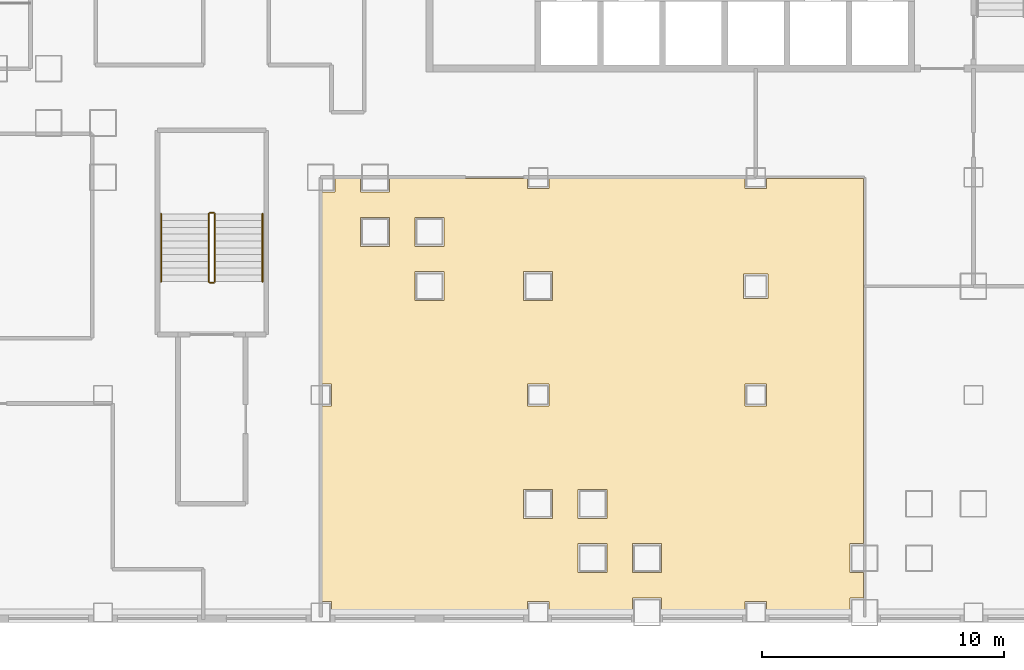
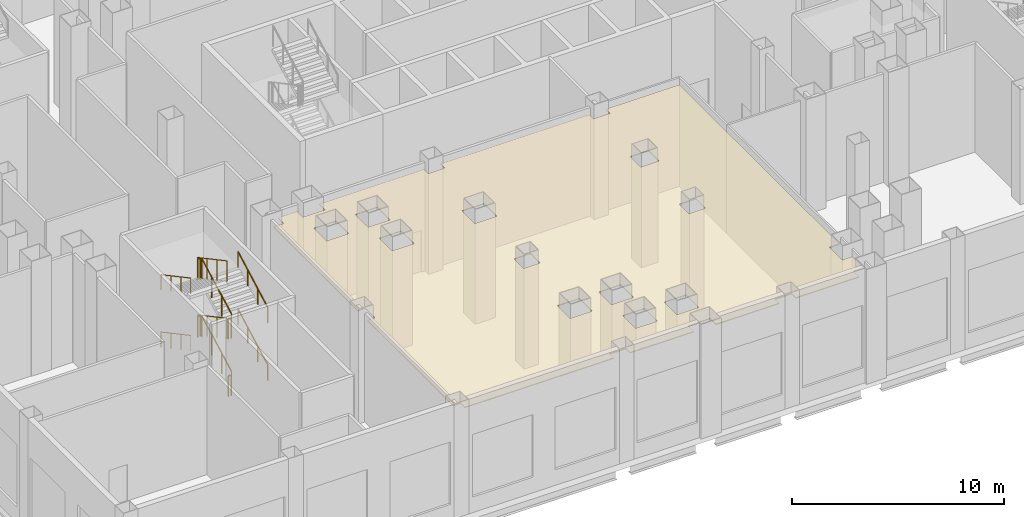
# One storey, part 21 of 26: 12 railings, 1 covering.
"""IFC4 building model written with IfcOpenShell, lengths in metres."""

from ifc_helpers import new_model, si_unit, direction, frame, origin, origin_2d, place, context, subcontext, project, spatial, polyline, circle, outline, extrude, material, layer, layer_set, type_object, element, save


model = new_model("IFC4")

# Units and contexts
model_context = context("Model", 3, precision=1e-05, world=origin(), true_north=direction((0.0, 1.0)))
body_context = subcontext(model_context, "Body", "Model", "MODEL_VIEW")
ifc_project = project(units=[si_unit("LENGTHUNIT", "METRE"), si_unit("AREAUNIT", "SQUARE_METRE"), si_unit("VOLUMEUNIT", "CUBIC_METRE"), si_unit("PLANEANGLEUNIT", "RADIAN"), si_unit("MASSUNIT", "GRAM", prefix="KILO")], contexts=[model_context])

# Site, building, storey
site_placement = place(None, origin())
site = spatial("IfcSite", under=ifc_project, at=site_placement, CompositionType="ELEMENT")
building_placement = place(site_placement, origin())
building = spatial("IfcBuilding", under=site, at=building_placement, Name="Caravel Reach Hotel and Residences", CompositionType="ELEMENT")
storey_placement = place(building_placement, frame((0.0, 0.0, 17.39990234375)))
storey = spatial("IfcBuildingStorey", under=building, at=storey_placement, Name="L03", CompositionType="ELEMENT", Elevation=17.39990234375)

# Covering
ifc_material_1 = material(Name="Mineral fibre ceiling tile")
ifc_layer = layer(ifc_material_1, 0.050048828125)
ifc_layer_set = layer_set([ifc_layer], Name="CL1 Suspended ceiling 50")
covering_type = type_object("IfcCoveringType", Name="CL1 Suspended ceiling 50", PredefinedType="CEILING", material=ifc_layer_set)
covering_placement = place(storey_placement, frame((0.0, 0.0, 5.800048828125)))
element("IfcCovering", 1, at=covering_placement, inside=storey, type_object=covering_type, Name="L03 ceiling Grand ballroom", PredefinedType="CEILING", context=body_context, shape_type="SweptSolid", body=[
    extrude(outline(polyline([(22.050048828125, 0.050048828125), (22.050048828125, 0.449951171875), (22.949951171875, 0.449951171875), (22.949951171875, 0.050048828125), (26.39990234375, 0.050048828125), (26.39990234375, 0.60009765625), (27.60009765625, 0.60009765625), (27.60009765625, 0.050048828125), (31.050048828125, 0.050048828125), (31.050048828125, 0.449951171875), (31.949951171875, 0.449951171875), (31.949951171875, 0.050048828125), (35.39990234375, 0.050048828125), (35.39990234375, 0.60009765625), (35.949951171875, 0.60009765625), (35.949951171875, 1.64990234375), (35.39990234375, 1.64990234375), (35.39990234375, 2.85009765625), (35.949951171875, 2.85009765625), (35.949951171875, 17.949951171875), (31.949951171875, 17.949951171875), (31.949951171875, 17.550048828125), (31.050048828125, 17.550048828125), (31.050048828125, 17.949951171875), (22.949951171875, 17.949951171875), (22.949951171875, 17.550048828125), (22.050048828125, 17.550048828125), (22.050048828125, 17.949951171875), (16.35009765625, 17.949951171875), (16.35009765625, 17.39990234375), (15.14990234375, 17.39990234375), (15.14990234375, 17.949951171875), (14.10009765625, 17.949951171875), (14.10009765625, 17.39990234375), (13.550048828125, 17.39990234375), (13.550048828125, 9.449951171875), (13.949951171875, 9.449951171875), (13.949951171875, 8.550048828125), (13.550048828125, 8.550048828125), (13.550048828125, 0.449951171875), (13.949951171875, 0.449951171875), (13.949951171875, 0.050048828125), (22.050048828125, 0.050048828125)]), holes=[polyline([(21.89990234375, 5.10009765625), (23.10009765625, 5.10009765625), (23.10009765625, 3.89990234375), (21.89990234375, 3.89990234375), (21.89990234375, 5.10009765625)]), polyline([(25.35009765625, 5.10009765625), (25.35009765625, 3.89990234375), (24.14990234375, 3.89990234375), (24.14990234375, 5.10009765625), (25.35009765625, 5.10009765625)]), polyline([(25.35009765625, 1.64990234375), (24.14990234375, 1.64990234375), (24.14990234375, 2.85009765625), (25.35009765625, 2.85009765625), (25.35009765625, 1.64990234375)]), polyline([(26.39990234375, 1.64990234375), (26.39990234375, 2.85009765625), (27.60009765625, 2.85009765625), (27.60009765625, 1.64990234375), (26.39990234375, 1.64990234375)]), polyline([(15.14990234375, 16.35009765625), (16.35009765625, 16.35009765625), (16.35009765625, 15.14990234375), (15.14990234375, 15.14990234375), (15.14990234375, 16.35009765625)]), polyline([(18.60009765625, 16.35009765625), (18.60009765625, 15.14990234375), (17.39990234375, 15.14990234375), (17.39990234375, 16.35009765625), (18.60009765625, 16.35009765625)]), polyline([(18.60009765625, 12.89990234375), (17.39990234375, 12.89990234375), (17.39990234375, 14.10009765625), (18.60009765625, 14.10009765625), (18.60009765625, 12.89990234375)]), polyline([(21.89990234375, 12.89990234375), (21.89990234375, 14.10009765625), (23.10009765625, 14.10009765625), (23.10009765625, 12.89990234375), (21.89990234375, 12.89990234375)]), polyline([(32.0, 14.0), (32.0, 13.0), (31.0, 13.0), (31.0, 14.0), (32.0, 14.0)]), polyline([(22.949951171875, 9.449951171875), (22.949951171875, 8.550048828125), (22.050048828125, 8.550048828125), (22.050048828125, 9.449951171875), (22.949951171875, 9.449951171875)]), polyline([(31.949951171875, 9.449951171875), (31.949951171875, 8.550048828125), (31.050048828125, 8.550048828125), (31.050048828125, 9.449951171875), (31.949951171875, 9.449951171875)])]), origin(), (0.0, 0.0, 1.0), 0.050048828125),
])

# Railings
ifc_material_2 = material(Name="Steel balustrade with glass infill", Category="steel")
railing_type_1 = type_object("IfcRailingType", Name="Guard 1200", PredefinedType="GUARDRAIL", material=ifc_material_2)
railing_1_placement = place(storey_placement, frame((9.125, 13.68994140625, 0.150146484375)))
element("IfcRailing", 2, at=railing_1_placement, inside=storey, type_object=railing_type_1, Name="L03 ST-P3 stair guard 1", PredefinedType="GUARDRAIL", context=body_context, shape_type="SweptSolid", body=[
    extrude(circle(Radius=0.02392578125, at=origin_2d()), frame((0.0, 0.0, 1.17578125), z_axis=(0.0, 0.881483397762, 0.472215014025), x_axis=(-1.0, 0.0, 0.0)), (0.0, 0.0, 1.0), 3.176513671875),
    extrude(circle(Radius=0.02099609375, at=origin_2d()), origin(), (0.0, 0.0, 1.0), 1.15185546875),
    extrude(circle(Radius=0.02099609375, at=origin_2d()), frame((0.0, 0.933349609375, 0.5)), (0.0, 0.0, 1.0), 1.15185546875),
    extrude(circle(Radius=0.02099609375, at=origin_2d()), frame((0.0, 1.86669921875, 1.0)), (0.0, 0.0, 1.0), 1.15185546875),
    extrude(circle(Radius=0.02099609375, at=origin_2d()), frame((0.0, 2.800048828125, 1.5)), (0.0, 0.0, 1.0), 1.15185546875),
])
railing_2_placement = place(storey_placement, frame((9.074951171875, 16.5400390625, 1.650146484375)))
element("IfcRailing", 3, at=railing_2_placement, inside=storey, type_object=railing_type_1, Name="L03 ST-P3 stair guard 2", PredefinedType="GUARDRAIL", context=body_context, shape_type="SweptSolid", body=[
    extrude(circle(Radius=0.02392578125, at=origin_2d()), frame((0.0, 0.0, 1.17578125), z_axis=(-1.0, 0.0, 0.0), x_axis=(0.0, -1.0, 0.0)), (0.0, 0.0, 1.0), 0.14990234375),
    extrude(circle(Radius=0.02099609375, at=origin_2d()), origin(), (0.0, 0.0, 1.0), 1.15185546875),
    extrude(circle(Radius=0.02099609375, at=origin_2d()), frame((-0.14990234375, 0.0, 0.0)), (0.0, 0.0, 1.0), 1.15185546875),
])
railing_3_placement = place(storey_placement, frame((8.875, 16.489990234375, 1.800048828125)))
element("IfcRailing", 4, at=railing_3_placement, inside=storey, type_object=railing_type_1, Name="L03 ST-P3 stair guard 3", PredefinedType="GUARDRAIL", context=body_context, shape_type="SweptSolid", body=[
    extrude(circle(Radius=0.02392578125, at=origin_2d()), frame((0.0, 0.0, 1.17578125), z_axis=(0.0, -0.881483397762, 0.472215014025), x_axis=(1.0, 0.0, 0.0)), (0.0, 0.0, 1.0), 3.176513671875),
    extrude(circle(Radius=0.02099609375, at=origin_2d()), origin(), (0.0, 0.0, 1.0), 1.15185546875),
    extrude(circle(Radius=0.02099609375, at=origin_2d()), frame((0.0, -0.933349609375, 0.5)), (0.0, 0.0, 1.0), 1.15185546875),
    extrude(circle(Radius=0.02099609375, at=origin_2d()), frame((0.0, -1.86669921875, 1.0)), (0.0, 0.0, 1.0), 1.15185546875),
    extrude(circle(Radius=0.02099609375, at=origin_2d()), frame((0.0, -2.800048828125, 1.5)), (0.0, 0.0, 1.0), 1.15185546875),
])
railing_4_placement = place(storey_placement, frame((9.074951171875, 13.639892578125, 3.300048828125)))
element("IfcRailing", 5, at=railing_4_placement, inside=storey, type_object=railing_type_1, Name="L03 ST-P3 stair guard 4", PredefinedType="GUARDRAIL", context=body_context, shape_type="SweptSolid", body=[
    extrude(circle(Radius=0.02392578125, at=origin_2d()), frame((0.0, 0.0, 1.17578125), z_axis=(-1.0, 0.0, 0.0), x_axis=(0.0, -1.0, 0.0)), (0.0, 0.0, 1.0), 0.14990234375),
    extrude(circle(Radius=0.02099609375, at=origin_2d()), origin(), (0.0, 0.0, 1.0), 1.15185546875),
    extrude(circle(Radius=0.02099609375, at=origin_2d()), frame((-0.14990234375, 0.0, 0.0)), (0.0, 0.0, 1.0), 1.15185546875),
])
railing_5_placement = place(storey_placement, frame((9.125, 13.68994140625, 3.4501953125)))
element("IfcRailing", 6, at=railing_5_placement, inside=storey, type_object=railing_type_1, Name="L03 ST-P3 stair guard 5", PredefinedType="GUARDRAIL", context=body_context, shape_type="SweptSolid", body=[
    extrude(circle(Radius=0.02392578125, at=origin_2d()), frame((0.0, 0.0, 1.17578125), z_axis=(0.0, 0.881483397762, 0.472215014025), x_axis=(-1.0, 0.0, 0.0)), (0.0, 0.0, 1.0), 3.176513671875),
    extrude(circle(Radius=0.02099609375, at=origin_2d()), origin(), (0.0, 0.0, 1.0), 1.15185546875),
    extrude(circle(Radius=0.02099609375, at=origin_2d()), frame((0.0, 0.933349609375, 0.5)), (0.0, 0.0, 1.0), 1.15185546875),
    extrude(circle(Radius=0.02099609375, at=origin_2d()), frame((0.0, 1.86669921875, 1.0)), (0.0, 0.0, 1.0), 1.15185546875),
    extrude(circle(Radius=0.02099609375, at=origin_2d()), frame((0.0, 2.800048828125, 1.5)), (0.0, 0.0, 1.0), 1.15185546875),
])
railing_6_placement = place(storey_placement, frame((9.074951171875, 16.5400390625, 4.9501953125)))
element("IfcRailing", 7, at=railing_6_placement, inside=storey, type_object=railing_type_1, Name="L03 ST-P3 stair guard 6", PredefinedType="GUARDRAIL", context=body_context, shape_type="SweptSolid", body=[
    extrude(circle(Radius=0.02392578125, at=origin_2d()), frame((0.0, 0.0, 1.17578125), z_axis=(-1.0, 0.0, 0.0), x_axis=(0.0, -1.0, 0.0)), (0.0, 0.0, 1.0), 0.14990234375),
    extrude(circle(Radius=0.02099609375, at=origin_2d()), origin(), (0.0, 0.0, 1.0), 1.15185546875),
    extrude(circle(Radius=0.02099609375, at=origin_2d()), frame((-0.14990234375, 0.0, 0.0)), (0.0, 0.0, 1.0), 1.15185546875),
])
railing_7_placement = place(storey_placement, frame((8.875, 16.489990234375, 5.10009765625)))
element("IfcRailing", 8, at=railing_7_placement, inside=storey, type_object=railing_type_1, Name="L03 ST-P3 stair guard 7", PredefinedType="GUARDRAIL", context=body_context, shape_type="SweptSolid", body=[
    extrude(circle(Radius=0.02392578125, at=origin_2d()), frame((0.0, 0.0, 1.17578125), z_axis=(0.0, -0.881483397762, 0.472215014025), x_axis=(1.0, 0.0, 0.0)), (0.0, 0.0, 1.0), 3.176513671875),
    extrude(circle(Radius=0.02099609375, at=origin_2d()), origin(), (0.0, 0.0, 1.0), 1.15185546875),
    extrude(circle(Radius=0.02099609375, at=origin_2d()), frame((0.0, -0.933349609375, 0.5)), (0.0, 0.0, 1.0), 1.15185546875),
    extrude(circle(Radius=0.02099609375, at=origin_2d()), frame((0.0, -1.86669921875, 1.0)), (0.0, 0.0, 1.0), 1.15185546875),
    extrude(circle(Radius=0.02099609375, at=origin_2d()), frame((0.0, -2.800048828125, 1.5)), (0.0, 0.0, 1.0), 1.15185546875),
])
railing_8_placement = place(storey_placement, frame((9.074951171875, 13.639892578125, 0.0)))
element("IfcRailing", 9, at=railing_8_placement, inside=storey, type_object=railing_type_1, Name="L03 ST-P3 stair guard 8", PredefinedType="GUARDRAIL", context=body_context, shape_type="SweptSolid", body=[
    extrude(circle(Radius=0.02392578125, at=origin_2d()), frame((0.0, 0.0, 1.17578125), z_axis=(-1.0, 0.0, 0.0), x_axis=(0.0, -1.0, 0.0)), (0.0, 0.0, 1.0), 0.14990234375),
    extrude(circle(Radius=0.02099609375, at=origin_2d()), origin(), (0.0, 0.0, 1.0), 1.15185546875),
    extrude(circle(Radius=0.02099609375, at=origin_2d()), frame((-0.14990234375, 0.0, 0.0)), (0.0, 0.0, 1.0), 1.15185546875),
])
ifc_material_3 = material(Name="Stainless steel handrail", Category="steel")
railing_type_2 = type_object("IfcRailingType", Name="Handrail 900", PredefinedType="HANDRAIL", material=ifc_material_3)
railing_9_placement = place(storey_placement, frame((11.094970703125, 13.68994140625, 0.150146484375)))
element("IfcRailing", 10, at=railing_9_placement, inside=storey, type_object=railing_type_2, Name="L03 ST-P3 stair handrail 1", PredefinedType="HANDRAIL", context=body_context, shape_type="SweptSolid", body=[
    extrude(circle(Radius=0.02392578125, at=origin_2d()), frame((0.0, 0.0, 0.8759765625), z_axis=(0.0, 0.881483397762, 0.472215014025), x_axis=(-1.0, 0.0, 0.0)), (0.0, 0.0, 1.0), 3.176513671875),
    extrude(circle(Radius=0.02099609375, at=origin_2d()), origin(), (0.0, 0.0, 1.0), 0.851806640625),
    extrude(circle(Radius=0.02099609375, at=origin_2d()), frame((0.0, 0.933349609375, 0.5)), (0.0, 0.0, 1.0), 0.851806640625),
    extrude(circle(Radius=0.02099609375, at=origin_2d()), frame((0.0, 1.86669921875, 1.0)), (0.0, 0.0, 1.0), 0.851806640625),
    extrude(circle(Radius=0.02099609375, at=origin_2d()), frame((0.0, 2.800048828125, 1.5)), (0.0, 0.0, 1.0), 0.851806640625),
])
railing_10_placement = place(storey_placement, frame((6.905029296875, 16.489990234375, 1.800048828125)))
element("IfcRailing", 11, at=railing_10_placement, inside=storey, type_object=railing_type_2, Name="L03 ST-P3 stair handrail 2", PredefinedType="HANDRAIL", context=body_context, shape_type="SweptSolid", body=[
    extrude(circle(Radius=0.02392578125, at=origin_2d()), frame((0.0, 0.0, 0.8759765625), z_axis=(0.0, -0.881483397762, 0.472215014025), x_axis=(1.0, 0.0, 0.0)), (0.0, 0.0, 1.0), 3.176513671875),
    extrude(circle(Radius=0.02099609375, at=origin_2d()), origin(), (0.0, 0.0, 1.0), 0.851806640625),
    extrude(circle(Radius=0.02099609375, at=origin_2d()), frame((0.0, -0.933349609375, 0.5)), (0.0, 0.0, 1.0), 0.851806640625),
    extrude(circle(Radius=0.02099609375, at=origin_2d()), frame((0.0, -1.86669921875, 1.0)), (0.0, 0.0, 1.0), 0.851806640625),
    extrude(circle(Radius=0.02099609375, at=origin_2d()), frame((0.0, -2.800048828125, 1.5)), (0.0, 0.0, 1.0), 0.851806640625),
])
railing_11_placement = place(storey_placement, frame((11.094970703125, 13.68994140625, 3.4501953125)))
element("IfcRailing", 12, at=railing_11_placement, inside=storey, type_object=railing_type_2, Name="L03 ST-P3 stair handrail 3", PredefinedType="HANDRAIL", context=body_context, shape_type="SweptSolid", body=[
    extrude(circle(Radius=0.02392578125, at=origin_2d()), frame((0.0, 0.0, 0.8759765625), z_axis=(0.0, 0.881483397762, 0.472215014025), x_axis=(-1.0, 0.0, 0.0)), (0.0, 0.0, 1.0), 3.176513671875),
    extrude(circle(Radius=0.02099609375, at=origin_2d()), origin(), (0.0, 0.0, 1.0), 0.851806640625),
    extrude(circle(Radius=0.02099609375, at=origin_2d()), frame((0.0, 0.933349609375, 0.5)), (0.0, 0.0, 1.0), 0.851806640625),
    extrude(circle(Radius=0.02099609375, at=origin_2d()), frame((0.0, 1.86669921875, 1.0)), (0.0, 0.0, 1.0), 0.851806640625),
    extrude(circle(Radius=0.02099609375, at=origin_2d()), frame((0.0, 2.800048828125, 1.5)), (0.0, 0.0, 1.0), 0.851806640625),
])
railing_12_placement = place(storey_placement, frame((6.905029296875, 16.489990234375, 5.10009765625)))
element("IfcRailing", 13, at=railing_12_placement, inside=storey, type_object=railing_type_2, Name="L03 ST-P3 stair handrail 4", PredefinedType="HANDRAIL", context=body_context, shape_type="SweptSolid", body=[
    extrude(circle(Radius=0.02392578125, at=origin_2d()), frame((0.0, 0.0, 0.8759765625), z_axis=(0.0, -0.881483397762, 0.472215014025), x_axis=(1.0, 0.0, 0.0)), (0.0, 0.0, 1.0), 3.176513671875),
    extrude(circle(Radius=0.02099609375, at=origin_2d()), origin(), (0.0, 0.0, 1.0), 0.851806640625),
    extrude(circle(Radius=0.02099609375, at=origin_2d()), frame((0.0, -0.933349609375, 0.5)), (0.0, 0.0, 1.0), 0.851806640625),
    extrude(circle(Radius=0.02099609375, at=origin_2d()), frame((0.0, -1.86669921875, 1.0)), (0.0, 0.0, 1.0), 0.851806640625),
    extrude(circle(Radius=0.02099609375, at=origin_2d()), frame((0.0, -2.800048828125, 1.5)), (0.0, 0.0, 1.0), 0.851806640625),
])

save(model, "model.ifc")
